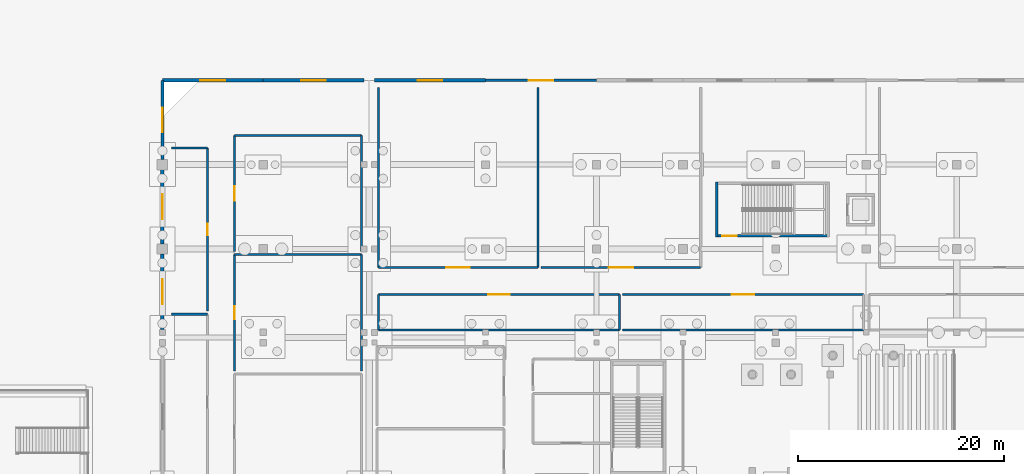
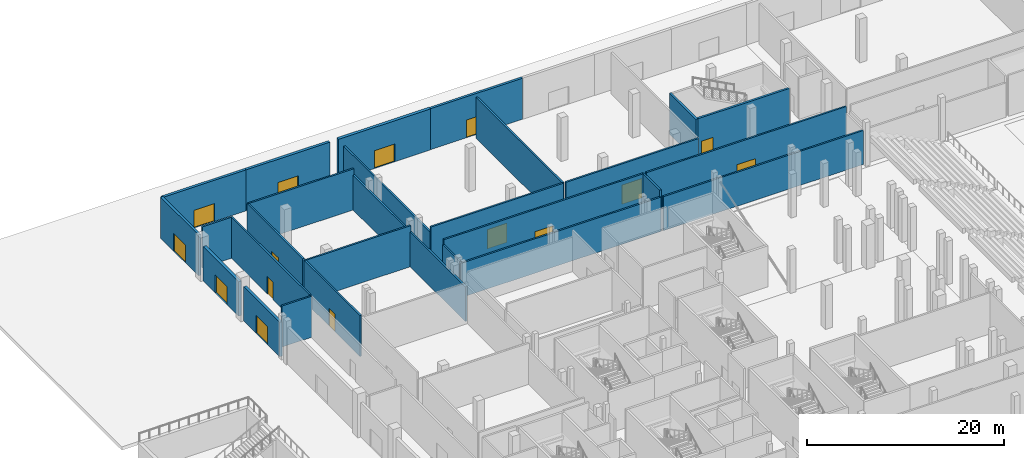
# One storey, part 46 of 89: 28 walls, 15 doors, 15 openings.
"""IFC4 building model written with IfcOpenShell, lengths in metres."""

from ifc_helpers import new_model, si_unit, direction, frame, frame_2d, origin, place, context, subcontext, project, spatial, rectangle, extrude, material, layer, layer_set, type_object, element, fill, save


model = new_model("IFC4")

# Units and contexts
model_context = context("Model", 3, precision=1e-05, world=origin(), true_north=direction((0.0, 1.0)))
body_context = subcontext(model_context, "Body", "Model", "MODEL_VIEW")
ifc_project = project(units=[si_unit("LENGTHUNIT", "METRE"), si_unit("AREAUNIT", "SQUARE_METRE"), si_unit("VOLUMEUNIT", "CUBIC_METRE"), si_unit("PLANEANGLEUNIT", "RADIAN"), si_unit("MASSUNIT", "GRAM", prefix="KILO")], contexts=[model_context])

# Site, building, storey
site_placement = place(None, origin())
site = spatial("IfcSite", under=ifc_project, at=site_placement, CompositionType="ELEMENT")
building_placement = place(site_placement, origin())
building = spatial("IfcBuilding", under=site, at=building_placement, Name="Koshinbarg Plaza Stadium", CompositionType="ELEMENT")
storey_placement = place(building_placement, origin())
storey = spatial("IfcBuildingStorey", under=building, at=storey_placement, Name="L00", CompositionType="ELEMENT", Elevation=0.0)

# Wall
ifc_material_1 = material(Name="Concrete C40/50", Category="concrete")
ifc_layer_1 = layer(ifc_material_1, 0.25)
ifc_layer_set_1 = layer_set([ifc_layer_1], Name="Concrete C40/50")
wall_type_1 = type_object("IfcWallType", Name="WL-CORE-250", PredefinedType="SHEAR", material=ifc_layer_set_1)
wall_1_placement = place(storey_placement, frame((57.875, 142.1201171875, 0.0), z_axis=(0.0, 0.0, 1.0), x_axis=(0.0, -1.0, 0.0)))
element("IfcWall", 1, at=wall_1_placement, inside=storey, type_object=wall_type_1, Name="L00 core stair shear wall C11-near IWL-L00-0258", PredefinedType="SHEAR", context=body_context, shape_type="SweptSolid", body=[
    extrude(rectangle(XDim=5.3701171875, YDim=0.25, at=frame_2d((2.68505859375, 0.0))), origin(), (0.0, 0.0, 1.0), 5.080078125),
])

# Wall, opening, door
wall_2_placement = place(storey_placement, frame((57.875, 136.875, 0.0), z_axis=(0.0, 0.0, 1.0), x_axis=(1.0, 0.0, 0.0)))
wall_2 = element("IfcWall", 2, at=wall_2_placement, inside=storey, type_object=wall_type_1, Name="L00 core stair shear wall C11-right IWL-L00-0261", PredefinedType="SHEAR", context=body_context, shape_type="SweptSolid", body=[
    extrude(rectangle(XDim=10.85009765625, YDim=0.25, at=frame_2d((5.425048828125, 0.0))), origin(), (0.0, 0.0, 1.0), 5.080078125),
])
opening_1_placement = place(wall_2_placement, frame((0.52001953125, 0.0, 0.0)))
opening_1 = element("IfcOpeningElement", 3, at=opening_1_placement, cuts=wall_2, Name="Opening D-0127", PredefinedType="OPENING", context=body_context, shape_type="SweptSolid", body=[
    extrude(rectangle(XDim=1.39990234375, YDim=2.14990234375, at=frame_2d((0.699951171875, 1.074951171875))), frame((0.0, 0.135009765625, 0.0), z_axis=(0.0, -1.0, 0.0), x_axis=(1.0, 0.0, 0.0)), (0.0, 0.0, 1.0), 0.27001953125),
])
ifc_material_2 = material(Name="Painted galvanized steel fire door", Category="steel")
door_type_1 = type_object("IfcDoorType", Name="DR-STAIR-1400", OperationType="NOTDEFINED", PredefinedType="DOOR", material=ifc_material_2)
door_1_placement = place(opening_1_placement, frame((1.39990234375, 0.0, 0.0), z_axis=(0.0, 0.0, 1.0), x_axis=(-1.0, 0.0, 0.0)))
door_1 = element("IfcDoor", 4, at=door_1_placement, inside=storey, type_object=door_type_1, Name="L00 exit stair door C11", OperationType="SINGLE_SWING_RIGHT", OverallHeight=2.14990234375, OverallWidth=1.39990234375, PredefinedType="DOOR", context=body_context, shape_type="SweptSolid", body=[
    extrude(rectangle(XDim=1.39990234375, YDim=2.14990234375, at=frame_2d((0.699951171875, 1.074951171875))), frame((0.0, 0.02490234375, 0.0), z_axis=(0.0, -1.0, 0.0), x_axis=(1.0, 0.0, 0.0)), (0.0, 0.0, 1.0), 0.050048828125),
])
fill(opening_1, door_1)

ifc_material_3 = material(Name="Terracotta-ochre mineral plaster insulated wall", Category="masonry")
ifc_layer_2 = layer(ifc_material_3, 0.280029296875)
ifc_layer_set_2 = layer_set([ifc_layer_2], Name="Terracotta-ochre mineral plaster insulated wall")
wall_type_2 = type_object("IfcWallType", Name="WL-EXT-280", PredefinedType="SOLIDWALL", material=ifc_layer_set_2)
wall_3_placement = place(storey_placement, frame((4.0, 144.294921875, 0.0), z_axis=(0.0, 0.0, 1.0), x_axis=(0.0, 1.0, 0.0)))
wall_3 = element("IfcWall", 5, at=wall_3_placement, inside=storey, type_object=wall_type_2, Name="L00 exterior envelope wall EWL-L00-0016", PredefinedType="SOLIDWALL", context=body_context, shape_type="SweptSolid", body=[
    extrude(rectangle(XDim=7.705078125, YDim=0.280029296875, at=frame_2d((3.8525390625, 0.0))), origin(), (0.0, 0.0, 1.0), 5.080078125),
])
opening_2_placement = place(wall_3_placement, frame((2.652587890625, 0.0, 0.0)))
opening_2 = element("IfcOpeningElement", 6, at=opening_2_placement, cuts=wall_3, Name="Opening D-0017", PredefinedType="OPENING", context=body_context, shape_type="SweptSolid", body=[
    extrude(rectangle(XDim=2.39990234375, YDim=2.199951171875, at=frame_2d((1.199951171875, 1.10009765625))), frame((0.0, 0.14990234375, 0.0), z_axis=(0.0, -1.0, 0.0), x_axis=(1.0, 0.0, 0.0)), (0.0, 0.0, 1.0), 0.300048828125),
])
ifc_material_4 = material(Name="Anodised aluminium thermally broken exit door", Category="aluminium")
door_type_2 = type_object("IfcDoorType", Name="DR-EXIT-2400", OperationType="NOTDEFINED", PredefinedType="DOOR", material=ifc_material_4)
door_2_placement = place(opening_2_placement, origin())
door_2 = element("IfcDoor", 7, at=door_2_placement, inside=storey, type_object=door_type_2, Name="Main exit E16", OperationType="DOUBLE_DOOR_SINGLE_SWING", OverallHeight=2.199951171875, OverallWidth=2.39990234375, PredefinedType="DOOR", context=body_context, shape_type="SweptSolid", body=[
    extrude(rectangle(XDim=2.39990234375, YDim=2.199951171875, at=frame_2d((1.199951171875, 1.10009765625))), frame((0.0, 0.02490234375, 0.0), z_axis=(0.0, -1.0, 0.0), x_axis=(1.0, 0.0, 0.0)), (0.0, 0.0, 1.0), 0.050048828125),
])
fill(opening_2, door_2)

wall_4_placement = place(storey_placement, frame((35.39990234375, 152.0, 0.0), z_axis=(0.0, 0.0, 1.0), x_axis=(1.0, 0.0, 0.0)))
wall_4 = element("IfcWall", 8, at=wall_4_placement, inside=storey, type_object=wall_type_2, Name="L00 exterior envelope wall EWL-L00-0020", PredefinedType="SOLIDWALL", context=body_context, shape_type="SweptSolid", body=[
    extrude(rectangle(XDim=10.800048828125, YDim=0.280029296875, at=frame_2d((5.39990234375, 0.0))), origin(), (0.0, 0.0, 1.0), 5.080078125),
])
opening_3_placement = place(wall_4_placement, frame((4.199951171875, 0.0, 0.0)))
opening_3 = element("IfcOpeningElement", 9, at=opening_3_placement, cuts=wall_4, Name="Opening D-0021", PredefinedType="OPENING", context=body_context, shape_type="SweptSolid", body=[
    extrude(rectangle(XDim=2.39990234375, YDim=2.199951171875, at=frame_2d((1.199951171875, 1.10009765625))), frame((0.0, 0.14990234375, 0.0), z_axis=(0.0, -1.0, 0.0), x_axis=(1.0, 0.0, 0.0)), (0.0, 0.0, 1.0), 0.300048828125),
])
door_3_placement = place(opening_3_placement, origin())
door_3 = element("IfcDoor", 10, at=door_3_placement, inside=storey, type_object=door_type_2, Name="Main exit E20", OperationType="DOUBLE_DOOR_SINGLE_SWING", OverallHeight=2.199951171875, OverallWidth=2.39990234375, PredefinedType="DOOR", context=body_context, shape_type="SweptSolid", body=[
    extrude(rectangle(XDim=2.39990234375, YDim=2.199951171875, at=frame_2d((1.199951171875, 1.10009765625))), frame((0.0, 0.02490234375, 0.0), z_axis=(0.0, -1.0, 0.0), x_axis=(1.0, 0.0, 0.0)), (0.0, 0.0, 1.0), 0.050048828125),
])
fill(opening_3, door_3)

ifc_material_5 = material(Name="Off-white mineral plaster insulated wall", Category="masonry")
ifc_layer_3 = layer(ifc_material_5, 0.300048828125)
ifc_layer_set_3 = layer_set([ifc_layer_3], Name="Off-white mineral plaster insulated wall")
wall_type_3 = type_object("IfcWallType", Name="WL-EXT-300", PredefinedType="SOLIDWALL", material=ifc_layer_set_3)
wall_5_placement = place(storey_placement, frame((4.0, 152.0, 0.0), z_axis=(0.0, 0.0, 1.0), x_axis=(1.0, 0.0, 0.0)))
wall_5 = element("IfcWall", 11, at=wall_5_placement, inside=storey, type_object=wall_type_3, Name="L00 exterior envelope wall EWL-L00-0017", PredefinedType="SOLIDWALL", context=body_context, shape_type="SweptSolid", body=[
    extrude(rectangle(XDim=9.800048828125, YDim=0.300048828125, at=frame_2d((4.89990234375, 0.0))), origin(), (0.0, 0.0, 1.0), 5.080078125),
])
opening_4_placement = place(wall_5_placement, frame((3.699951171875, 0.0, 0.0)))
opening_4 = element("IfcOpeningElement", 12, at=opening_4_placement, cuts=wall_5, Name="Opening D-0018", PredefinedType="OPENING", context=body_context, shape_type="SweptSolid", body=[
    extrude(rectangle(XDim=2.39990234375, YDim=2.199951171875, at=frame_2d((1.199951171875, 1.10009765625))), frame((0.0, 0.159912109375, 0.0), z_axis=(0.0, -1.0, 0.0), x_axis=(1.0, 0.0, 0.0)), (0.0, 0.0, 1.0), 0.320068359375),
])
door_4_placement = place(opening_4_placement, origin())
door_4 = element("IfcDoor", 13, at=door_4_placement, inside=storey, type_object=door_type_2, Name="Main exit E17", OperationType="DOUBLE_DOOR_SINGLE_SWING", OverallHeight=2.199951171875, OverallWidth=2.39990234375, PredefinedType="DOOR", context=body_context, shape_type="SweptSolid", body=[
    extrude(rectangle(XDim=2.39990234375, YDim=2.199951171875, at=frame_2d((1.199951171875, 1.10009765625))), frame((0.0, 0.02490234375, 0.0), z_axis=(0.0, -1.0, 0.0), x_axis=(1.0, 0.0, 0.0)), (0.0, 0.0, 1.0), 0.050048828125),
])
fill(opening_4, door_4)

ifc_material_6 = material(Name="Ultramarine-blue pigmented mineral plaster facade wall", Category="masonry")
ifc_layer_4 = layer(ifc_material_6, 0.320068359375)
ifc_layer_set_4 = layer_set([ifc_layer_4], Name="Ultramarine-blue pigmented mineral plaster facade wall")
wall_type_4 = type_object("IfcWallType", Name="WL-EXT-320", PredefinedType="SOLIDWALL", material=ifc_layer_set_4)
wall_6_placement = place(storey_placement, frame((4.0, 127.794921875, 0.0), z_axis=(0.0, 0.0, 1.0), x_axis=(0.0, 1.0, 0.0)))
wall_6 = element("IfcWall", 14, at=wall_6_placement, inside=storey, type_object=wall_type_4, Name="L00 exterior envelope wall EWL-L00-0014", PredefinedType="SOLIDWALL", context=body_context, shape_type="SweptSolid", body=[
    extrude(rectangle(XDim=7.31005859375, YDim=0.320068359375, at=frame_2d((3.655029296875, 0.0))), origin(), (0.0, 0.0, 1.0), 4.260009765625),
])
opening_5_placement = place(wall_6_placement, frame((2.455078125, 0.0, 0.0)))
opening_5 = element("IfcOpeningElement", 15, at=opening_5_placement, cuts=wall_6, Name="Opening D-0015", PredefinedType="OPENING", context=body_context, shape_type="SweptSolid", body=[
    extrude(rectangle(XDim=2.39990234375, YDim=2.199951171875, at=frame_2d((1.199951171875, 1.10009765625))), frame((0.0, 0.169921875, 0.0), z_axis=(0.0, -1.0, 0.0), x_axis=(1.0, 0.0, 0.0)), (0.0, 0.0, 1.0), 0.340087890625),
])
door_5_placement = place(opening_5_placement, origin())
door_5 = element("IfcDoor", 16, at=door_5_placement, inside=storey, type_object=door_type_2, Name="Main exit E14", OperationType="DOUBLE_DOOR_SINGLE_SWING", OverallHeight=2.199951171875, OverallWidth=2.39990234375, PredefinedType="DOOR", context=body_context, shape_type="SweptSolid", body=[
    extrude(rectangle(XDim=2.39990234375, YDim=2.199951171875, at=frame_2d((1.199951171875, 1.10009765625))), frame((0.0, 0.02490234375, 0.0), z_axis=(0.0, -1.0, 0.0), x_axis=(1.0, 0.0, 0.0)), (0.0, 0.0, 1.0), 0.050048828125),
])
fill(opening_5, door_5)

wall_7_placement = place(storey_placement, frame((13.800048828125, 152.0, 0.0), z_axis=(0.0, 0.0, 1.0), x_axis=(1.0, 0.0, 0.0)))
wall_7 = element("IfcWall", 17, at=wall_7_placement, inside=storey, type_object=wall_type_4, Name="L00 exterior envelope wall EWL-L00-0018", PredefinedType="SOLIDWALL", context=body_context, shape_type="SweptSolid", body=[
    extrude(rectangle(XDim=9.800048828125, YDim=0.320068359375, at=frame_2d((4.89990234375, 0.0))), origin(), (0.0, 0.0, 1.0), 5.080078125),
])
opening_6_placement = place(wall_7_placement, frame((3.699951171875, 0.0, 0.0)))
opening_6 = element("IfcOpeningElement", 18, at=opening_6_placement, cuts=wall_7, Name="Opening D-0019", PredefinedType="OPENING", context=body_context, shape_type="SweptSolid", body=[
    extrude(rectangle(XDim=2.39990234375, YDim=2.199951171875, at=frame_2d((1.199951171875, 1.10009765625))), frame((0.0, 0.169921875, 0.0), z_axis=(0.0, -1.0, 0.0), x_axis=(1.0, 0.0, 0.0)), (0.0, 0.0, 1.0), 0.340087890625),
])
door_6_placement = place(opening_6_placement, origin())
door_6 = element("IfcDoor", 19, at=door_6_placement, inside=storey, type_object=door_type_2, Name="Main exit E18", OperationType="DOUBLE_DOOR_SINGLE_SWING", OverallHeight=2.199951171875, OverallWidth=2.39990234375, PredefinedType="DOOR", context=body_context, shape_type="SweptSolid", body=[
    extrude(rectangle(XDim=2.39990234375, YDim=2.199951171875, at=frame_2d((1.199951171875, 1.10009765625))), frame((0.0, 0.02490234375, 0.0), z_axis=(0.0, -1.0, 0.0), x_axis=(1.0, 0.0, 0.0)), (0.0, 0.0, 1.0), 0.050048828125),
])
fill(opening_6, door_6)

ifc_material_7 = material(Name="Acoustic insulated masonry stadium wall", Category="masonry")
ifc_layer_5 = layer(ifc_material_7, 0.35009765625)
ifc_layer_set_5 = layer_set([ifc_layer_5], Name="Acoustic insulated masonry stadium wall")
wall_type_5 = type_object("IfcWallType", Name="WL-EXT-350", PredefinedType="SOLIDWALL", material=ifc_layer_set_5)
wall_8_placement = place(storey_placement, frame((4.0, 136.094970703125, 0.0), z_axis=(0.0, 0.0, 1.0), x_axis=(0.0, 1.0, 0.0)))
wall_8 = element("IfcWall", 20, at=wall_8_placement, inside=storey, type_object=wall_type_5, Name="L00 exterior envelope wall EWL-L00-0015", PredefinedType="SOLIDWALL", context=body_context, shape_type="SweptSolid", body=[
    extrude(rectangle(XDim=7.2099609375, YDim=0.35009765625, at=frame_2d((3.60498046875, 0.0))), origin(), (0.0, 0.0, 1.0), 4.260009765625),
])
opening_7_placement = place(wall_8_placement, frame((2.405029296875, 0.0, 0.0)))
opening_7 = element("IfcOpeningElement", 21, at=opening_7_placement, cuts=wall_8, Name="Opening D-0016", PredefinedType="OPENING", context=body_context, shape_type="SweptSolid", body=[
    extrude(rectangle(XDim=2.39990234375, YDim=2.199951171875, at=frame_2d((1.199951171875, 1.10009765625))), frame((0.0, 0.18505859375, 0.0), z_axis=(0.0, -1.0, 0.0), x_axis=(1.0, 0.0, 0.0)), (0.0, 0.0, 1.0), 0.3701171875),
])
door_7_placement = place(opening_7_placement, origin())
door_7 = element("IfcDoor", 22, at=door_7_placement, inside=storey, type_object=door_type_2, Name="Main exit E15", OperationType="DOUBLE_DOOR_SINGLE_SWING", OverallHeight=2.199951171875, OverallWidth=2.39990234375, PredefinedType="DOOR", context=body_context, shape_type="SweptSolid", body=[
    extrude(rectangle(XDim=2.39990234375, YDim=2.199951171875, at=frame_2d((1.199951171875, 1.10009765625))), frame((0.0, 0.02490234375, 0.0), z_axis=(0.0, -1.0, 0.0), x_axis=(1.0, 0.0, 0.0)), (0.0, 0.0, 1.0), 0.050048828125),
])
fill(opening_7, door_7)

wall_9_placement = place(storey_placement, frame((24.60009765625, 152.0, 0.0), z_axis=(0.0, 0.0, 1.0), x_axis=(1.0, 0.0, 0.0)))
wall_9 = element("IfcWall", 23, at=wall_9_placement, inside=storey, type_object=wall_type_5, Name="L00 exterior envelope wall EWL-L00-0019", PredefinedType="SOLIDWALL", context=body_context, shape_type="SweptSolid", body=[
    extrude(rectangle(XDim=10.7998046875, YDim=0.35009765625, at=frame_2d((5.39990234375, 0.0))), origin(), (0.0, 0.0, 1.0), 5.080078125),
])
opening_8_placement = place(wall_9_placement, frame((4.199951171875, 0.0, 0.0)))
opening_8 = element("IfcOpeningElement", 24, at=opening_8_placement, cuts=wall_9, Name="Opening D-0020", PredefinedType="OPENING", context=body_context, shape_type="SweptSolid", body=[
    extrude(rectangle(XDim=2.39990234375, YDim=2.199951171875, at=frame_2d((1.199951171875, 1.10009765625))), frame((0.0, 0.18505859375, 0.0), z_axis=(0.0, -1.0, 0.0), x_axis=(1.0, 0.0, 0.0)), (0.0, 0.0, 1.0), 0.3701171875),
])
door_8_placement = place(opening_8_placement, origin())
door_8 = element("IfcDoor", 25, at=door_8_placement, inside=storey, type_object=door_type_2, Name="Main exit E19", OperationType="DOUBLE_DOOR_SINGLE_SWING", OverallHeight=2.199951171875, OverallWidth=2.39990234375, PredefinedType="DOOR", context=body_context, shape_type="SweptSolid", body=[
    extrude(rectangle(XDim=2.39990234375, YDim=2.199951171875, at=frame_2d((1.199951171875, 1.10009765625))), frame((0.0, 0.02490234375, 0.0), z_axis=(0.0, -1.0, 0.0), x_axis=(1.0, 0.0, 0.0)), (0.0, 0.0, 1.0), 0.050048828125),
])
fill(opening_8, door_8)

# Walls
ifc_material_8 = material(Name="Autoclaved aerated blockwork fire partition", Category="masonry")
ifc_layer_6 = layer(ifc_material_8, 0.199951171875)
ifc_layer_set_6 = layer_set([ifc_layer_6], Name="Autoclaved aerated blockwork fire partition")
wall_type_6 = type_object("IfcWallType", Name="WL-PART-200", PredefinedType="PARTITIONING", material=ifc_layer_set_6)
wall_10_placement = place(storey_placement, frame((24.9951171875, 127.7451171875, 0.0), z_axis=(0.0, 0.0, 1.0), x_axis=(1.0, 0.0, 0.0)))
element("IfcWall", 26, at=wall_10_placement, inside=storey, type_object=wall_type_6, Name="L00 interior partition L00-112-south IWL-L00-1172", PredefinedType="PARTITIONING", context=body_context, shape_type="SweptSolid", body=[
    extrude(rectangle(XDim=23.41748046875, YDim=0.199951171875, at=frame_2d((11.708740234375, 0.0))), origin(), (0.0, 0.0, 1.0), 4.260009765625),
])
wall_11_placement = place(storey_placement, frame((48.41259765625, 127.7451171875, 0.0), z_axis=(0.0, 0.0, 1.0), x_axis=(0.0, 1.0, 0.0)))
element("IfcWall", 27, at=wall_11_placement, inside=storey, type_object=wall_type_6, Name="L00 interior partition L00-112-east IWL-L00-1173", PredefinedType="PARTITIONING", context=body_context, shape_type="SweptSolid", body=[
    extrude(rectangle(XDim=3.454833984375, YDim=0.199951171875, at=frame_2d((1.7275390625, 0.0))), origin(), (0.0, 0.0, 1.0), 5.080078125),
])

# Wall, opening, door
wall_12_placement = place(storey_placement, frame((48.41259765625, 131.199951171875, 0.0), z_axis=(0.0, 0.0, 1.0), x_axis=(-1.0, 0.0, 0.0)))
wall_12 = element("IfcWall", 28, at=wall_12_placement, inside=storey, type_object=wall_type_6, Name="L00 interior partition L00-112-north IWL-L00-1174", PredefinedType="PARTITIONING", context=body_context, shape_type="SweptSolid", body=[
    extrude(rectangle(XDim=23.41748046875, YDim=0.199951171875, at=frame_2d((11.708740234375, 0.0))), origin(), (0.0, 0.0, 1.0), 5.080078125),
])
opening_9_placement = place(wall_12_placement, frame((10.668701171875, 0.0, 0.0)))
opening_9 = element("IfcOpeningElement", 29, at=opening_9_placement, cuts=wall_12, Name="Opening D-0381", PredefinedType="OPENING", context=body_context, shape_type="SweptSolid", body=[
    extrude(rectangle(XDim=2.080078125, YDim=2.35009765625, at=frame_2d((1.0400390625, 1.175048828125))), frame((0.0, 0.10986328125, 0.0), z_axis=(0.0, -1.0, 0.0), x_axis=(1.0, 0.0, 0.0)), (0.0, 0.0, 1.0), 0.219970703125),
])
ifc_material_9 = material(Name="Laminated safety glass aluminium vestibule door", Category="aluminium")
door_type_3 = type_object("IfcDoorType", Name="DR-INT-2080x2350", OperationType="NOTDEFINED", PredefinedType="DOOR", material=ifc_material_9)
door_9_placement = place(opening_9_placement, origin())
door_9 = element("IfcDoor", 30, at=door_9_placement, inside=storey, type_object=door_type_3, Name="L00 Tashkent Football Heritage Salon door D-0381", OperationType="DOUBLE_DOOR_SINGLE_SWING", OverallHeight=2.35009765625, OverallWidth=2.080078125, PredefinedType="DOOR", context=body_context, shape_type="SweptSolid", body=[
    extrude(rectangle(XDim=2.080078125, YDim=2.35009765625, at=frame_2d((1.0400390625, 1.175048828125))), frame((0.0, 0.02490234375, 0.0), z_axis=(0.0, -1.0, 0.0), x_axis=(1.0, 0.0, 0.0)), (0.0, 0.0, 1.0), 0.050048828125),
])
fill(opening_9, door_9)

# Walls
wall_13_placement = place(storey_placement, frame((24.9951171875, 131.199951171875, 0.0), z_axis=(0.0, 0.0, 1.0), x_axis=(0.0, -1.0, 0.0)))
element("IfcWall", 31, at=wall_13_placement, inside=storey, type_object=wall_type_6, Name="L00 interior partition L00-112-west IWL-L00-1175", PredefinedType="PARTITIONING", context=body_context, shape_type="SweptSolid", body=[
    extrude(rectangle(XDim=3.454833984375, YDim=0.199951171875, at=frame_2d((1.7275390625, 0.0))), origin(), (0.0, 0.0, 1.0), 4.4599609375),
])
wall_14_placement = place(storey_placement, frame((48.71240234375, 127.7451171875, 0.0), z_axis=(0.0, 0.0, 1.0), x_axis=(1.0, 0.0, 0.0)))
element("IfcWall", 32, at=wall_14_placement, inside=storey, type_object=wall_type_6, Name="L00 interior partition L00-113-south IWL-L00-1176", PredefinedType="PARTITIONING", context=body_context, shape_type="SweptSolid", body=[
    extrude(rectangle(XDim=23.41748046875, YDim=0.199951171875, at=frame_2d((11.708740234375, 0.0))), origin(), (0.0, 0.0, 1.0), 4.2099609375),
])

# Wall, opening, door
wall_15_placement = place(storey_placement, frame((72.1298828125, 131.199951171875, 0.0), z_axis=(0.0, 0.0, 1.0), x_axis=(-1.0, 0.0, 0.0)))
wall_15 = element("IfcWall", 33, at=wall_15_placement, inside=storey, type_object=wall_type_6, Name="L00 interior partition L00-113-north IWL-L00-1178", PredefinedType="PARTITIONING", context=body_context, shape_type="SweptSolid", body=[
    extrude(rectangle(XDim=23.41748046875, YDim=0.199951171875, at=frame_2d((11.708740234375, 0.0))), origin(), (0.0, 0.0, 1.0), 5.080078125),
])
opening_10_placement = place(wall_15_placement, frame((10.628662109375, 0.0, 0.0)))
opening_10 = element("IfcOpeningElement", 34, at=opening_10_placement, cuts=wall_15, Name="Opening D-0382", PredefinedType="OPENING", context=body_context, shape_type="SweptSolid", body=[
    extrude(rectangle(XDim=2.159912109375, YDim=2.35009765625, at=frame_2d((1.080078125, 1.175048828125))), frame((0.0, 0.10986328125, 0.0), z_axis=(0.0, -1.0, 0.0), x_axis=(1.0, 0.0, 0.0)), (0.0, 0.0, 1.0), 0.219970703125),
])
ifc_material_10 = material(Name="Galvanized painted steel double leaf door", Category="steel")
door_type_4 = type_object("IfcDoorType", Name="DR-INT-2160x2350", OperationType="NOTDEFINED", PredefinedType="DOOR", material=ifc_material_10)
door_10_placement = place(opening_10_placement, origin())
door_10 = element("IfcDoor", 35, at=door_10_placement, inside=storey, type_object=door_type_4, Name="L00 Supporters' Bookshop door D-0382", OperationType="DOUBLE_DOOR_SINGLE_SWING", OverallHeight=2.35009765625, OverallWidth=2.159912109375, PredefinedType="DOOR", context=body_context, shape_type="SweptSolid", body=[
    extrude(rectangle(XDim=2.159912109375, YDim=2.35009765625, at=frame_2d((1.080078125, 1.175048828125))), frame((0.0, 0.02490234375, 0.0), z_axis=(0.0, -1.0, 0.0), x_axis=(1.0, 0.0, 0.0)), (0.0, 0.0, 1.0), 0.050048828125),
])
fill(opening_10, door_10)

wall_16_placement = place(storey_placement, frame((24.9951171875, 133.800048828125, 0.0), z_axis=(0.0, 0.0, 1.0), x_axis=(1.0, 0.0, 0.0)))
wall_16 = element("IfcWall", 36, at=wall_16_placement, inside=storey, type_object=wall_type_6, Name="L00 interior partition L00-114-south IWL-L00-1179", PredefinedType="PARTITIONING", context=body_context, shape_type="SweptSolid", body=[
    extrude(rectangle(XDim=15.511474609375, YDim=0.199951171875, at=frame_2d((7.755859375, 0.0))), origin(), (0.0, 0.0, 1.0), 5.080078125),
])
opening_11_placement = place(wall_16_placement, frame((6.615966796875, 0.0, 0.0)))
opening_11 = element("IfcOpeningElement", 37, at=opening_11_placement, cuts=wall_16, Name="Opening D-0383", PredefinedType="OPENING", context=body_context, shape_type="SweptSolid", body=[
    extrude(rectangle(XDim=2.280029296875, YDim=2.39990234375, at=frame_2d((1.14013671875, 1.199951171875))), frame((0.0, 0.10986328125, 0.0), z_axis=(0.0, -1.0, 0.0), x_axis=(1.0, 0.0, 0.0)), (0.0, 0.0, 1.0), 0.219970703125),
])
ifc_material_11 = material(Name="Anodised aluminium and laminated glass portal door", Category="aluminium")
door_type_5 = type_object("IfcDoorType", Name="DR-INT-2280x2400", OperationType="NOTDEFINED", PredefinedType="DOOR", material=ifc_material_11)
door_11_placement = place(opening_11_placement, origin())
door_11 = element("IfcDoor", 38, at=door_11_placement, inside=storey, type_object=door_type_5, Name="L00 Supporters' Bookshop door D-0383", OperationType="DOUBLE_DOOR_SINGLE_SWING", OverallHeight=2.39990234375, OverallWidth=2.280029296875, PredefinedType="DOOR", context=body_context, shape_type="SweptSolid", body=[
    extrude(rectangle(XDim=2.280029296875, YDim=2.39990234375, at=frame_2d((1.14013671875, 1.199951171875))), frame((0.0, 0.02490234375, 0.0), z_axis=(0.0, -1.0, 0.0), x_axis=(1.0, 0.0, 0.0)), (0.0, 0.0, 1.0), 0.050048828125),
])
fill(opening_11, door_11)

# Walls
wall_17_placement = place(storey_placement, frame((40.506591796875, 133.800048828125, 0.0), z_axis=(0.0, 0.0, 1.0), x_axis=(0.0, 1.0, 0.0)))
element("IfcWall", 39, at=wall_17_placement, inside=storey, type_object=wall_type_6, Name="L00 interior partition L00-114-east IWL-L00-1180", PredefinedType="PARTITIONING", context=body_context, shape_type="SweptSolid", body=[
    extrude(rectangle(XDim=17.5, YDim=0.199951171875, at=frame_2d((8.75, 0.0))), origin(), (0.0, 0.0, 1.0), 5.080078125),
])
wall_18_placement = place(storey_placement, frame((24.9951171875, 151.300048828125, 0.0), z_axis=(0.0, 0.0, 1.0), x_axis=(0.0, -1.0, 0.0)))
element("IfcWall", 40, at=wall_18_placement, inside=storey, type_object=wall_type_6, Name="L00 interior partition L00-114-west IWL-L00-1181", PredefinedType="PARTITIONING", context=body_context, shape_type="SweptSolid", body=[
    extrude(rectangle(XDim=17.5, YDim=0.199951171875, at=frame_2d((8.75, 0.0))), origin(), (0.0, 0.0, 1.0), 4.4599609375),
])

# Wall, opening, door
wall_19_placement = place(storey_placement, frame((40.806640625, 133.800048828125, 0.0), z_axis=(0.0, 0.0, 1.0), x_axis=(1.0, 0.0, 0.0)))
wall_19 = element("IfcWall", 41, at=wall_19_placement, inside=storey, type_object=wall_type_6, Name="L00 interior partition L00-115-south IWL-L00-1182", PredefinedType="PARTITIONING", context=body_context, shape_type="SweptSolid", body=[
    extrude(rectangle(XDim=15.51171875, YDim=0.199951171875, at=frame_2d((7.755859375, 0.0))), origin(), (0.0, 0.0, 1.0), 5.080078125),
])
opening_12_placement = place(wall_19_placement, frame((6.57568359375, 0.0, 0.0)))
opening_12 = element("IfcOpeningElement", 42, at=opening_12_placement, cuts=wall_19, Name="Opening D-0384", PredefinedType="OPENING", context=body_context, shape_type="SweptSolid", body=[
    extrude(rectangle(XDim=2.360107421875, YDim=2.39990234375, at=frame_2d((1.18017578125, 1.199951171875))), frame((0.0, 0.10986328125, 0.0), z_axis=(0.0, -1.0, 0.0), x_axis=(1.0, 0.0, 0.0)), (0.0, 0.0, 1.0), 0.219970703125),
])
ifc_material_12 = material(Name="Powder-coated steel and tempered glass double door", Category="steel")
door_type_6 = type_object("IfcDoorType", Name="DR-INT-2360x2400", OperationType="NOTDEFINED", PredefinedType="DOOR", material=ifc_material_12)
door_12_placement = place(opening_12_placement, origin())
door_12 = element("IfcDoor", 43, at=door_12_placement, inside=storey, type_object=door_type_6, Name="L00 Sports Museum Hall door D-0384", OperationType="DOUBLE_DOOR_SINGLE_SWING", OverallHeight=2.39990234375, OverallWidth=2.360107421875, PredefinedType="DOOR", context=body_context, shape_type="SweptSolid", body=[
    extrude(rectangle(XDim=2.360107421875, YDim=2.39990234375, at=frame_2d((1.18017578125, 1.199951171875))), frame((0.0, 0.02490234375, 0.0), z_axis=(0.0, -1.0, 0.0), x_axis=(1.0, 0.0, 0.0)), (0.0, 0.0, 1.0), 0.050048828125),
])
fill(opening_12, door_12)

# Wall
wall_20_placement = place(storey_placement, frame((8.39990234375, 129.260009765625, 0.0), z_axis=(0.0, 0.0, 1.0), x_axis=(-1.0, 0.0, 0.0)))
element("IfcWall", 44, at=wall_20_placement, inside=storey, type_object=wall_type_6, Name="L00 interior partition L00-153-north IWL-L00-1289", PredefinedType="PARTITIONING", context=body_context, shape_type="SweptSolid", body=[
    extrude(rectangle(XDim=3.5, YDim=0.199951171875, at=frame_2d((1.75, 0.0))), origin(), (0.0, 0.0, 1.0), 5.080078125),
])

# Wall, opening, door
wall_21_placement = place(storey_placement, frame((8.39990234375, 129.56005859375, 0.0), z_axis=(0.0, 0.0, 1.0), x_axis=(0.0, 1.0, 0.0)))
wall_21 = element("IfcWall", 45, at=wall_21_placement, inside=storey, type_object=wall_type_6, Name="L00 interior partition L00-154-east IWL-L00-1290", PredefinedType="PARTITIONING", context=body_context, shape_type="SweptSolid", body=[
    extrude(rectangle(XDim=15.85986328125, YDim=0.199951171875, at=frame_2d((7.929931640625, 0.0))), origin(), (0.0, 0.0, 1.0), 5.080078125),
])
opening_13_placement = place(wall_21_placement, frame((7.3701171875, 0.0, 0.0)))
opening_13 = element("IfcOpeningElement", 46, at=opening_13_placement, cuts=wall_21, Name="Opening D-0423", PredefinedType="OPENING", context=body_context, shape_type="SweptSolid", body=[
    extrude(rectangle(XDim=1.1201171875, YDim=2.14990234375, at=frame_2d((0.56005859375, 1.074951171875))), frame((0.0, 0.10986328125, 0.0), z_axis=(0.0, -1.0, 0.0), x_axis=(1.0, 0.0, 0.0)), (0.0, 0.0, 1.0), 0.219970703125),
])
ifc_material_13 = material(Name="Acoustic timber broadcast studio door", Category="wood")
door_type_7 = type_object("IfcDoorType", Name="DR-INT-1120x2150", OperationType="NOTDEFINED", PredefinedType="DOOR", material=ifc_material_13)
door_13_placement = place(opening_13_placement, origin())
door_13 = element("IfcDoor", 47, at=door_13_placement, inside=storey, type_object=door_type_7, Name="L00 Visitor Welcome Concourse door D-0423", OperationType="SINGLE_SWING_LEFT", OverallHeight=2.14990234375, OverallWidth=1.1201171875, PredefinedType="DOOR", context=body_context, shape_type="SweptSolid", body=[
    extrude(rectangle(XDim=1.1201171875, YDim=2.14990234375, at=frame_2d((0.56005859375, 1.074951171875))), frame((0.0, 0.02490234375, 0.0), z_axis=(0.0, -1.0, 0.0), x_axis=(1.0, 0.0, 0.0)), (0.0, 0.0, 1.0), 0.050048828125),
])
fill(opening_13, door_13)

# Walls
wall_22_placement = place(storey_placement, frame((8.39990234375, 145.419921875, 0.0), z_axis=(0.0, 0.0, 1.0), x_axis=(-1.0, 0.0, 0.0)))
element("IfcWall", 48, at=wall_22_placement, inside=storey, type_object=wall_type_6, Name="L00 interior partition L00-154-north IWL-L00-1291", PredefinedType="PARTITIONING", context=body_context, shape_type="SweptSolid", body=[
    extrude(rectangle(XDim=3.5, YDim=0.199951171875, at=frame_2d((1.75, 0.0))), origin(), (0.0, 0.0, 1.0), 5.080078125),
])
wall_23_placement = place(storey_placement, frame((23.35498046875, 123.76318359375, 0.0), z_axis=(0.0, 0.0, 1.0), x_axis=(0.0, 1.0, 0.0)))
element("IfcWall", 49, at=wall_23_placement, inside=storey, type_object=wall_type_6, Name="L00 interior partition L00-156-east IWL-L00-1296", PredefinedType="PARTITIONING", context=body_context, shape_type="SweptSolid", body=[
    extrude(rectangle(XDim=11.29345703125, YDim=0.199951171875, at=frame_2d((5.646728515625, 0.0))), origin(), (0.0, 0.0, 1.0), 4.31005859375),
])
wall_24_placement = place(storey_placement, frame((23.35498046875, 135.056640625, 0.0), z_axis=(0.0, 0.0, 1.0), x_axis=(-1.0, 0.0, 0.0)))
element("IfcWall", 50, at=wall_24_placement, inside=storey, type_object=wall_type_6, Name="L00 interior partition L00-156-north IWL-L00-1297", PredefinedType="PARTITIONING", context=body_context, shape_type="SweptSolid", body=[
    extrude(rectangle(XDim=12.35498046875, YDim=0.199951171875, at=frame_2d((6.177490234375, 0.0))), origin(), (0.0, 0.0, 1.0), 5.080078125),
])

# Wall, opening, door
wall_25_placement = place(storey_placement, frame((11.0, 135.056640625, 0.0), z_axis=(0.0, 0.0, 1.0), x_axis=(0.0, -1.0, 0.0)))
wall_25 = element("IfcWall", 51, at=wall_25_placement, inside=storey, type_object=wall_type_6, Name="L00 interior partition L00-156-west IWL-L00-1298", PredefinedType="PARTITIONING", context=body_context, shape_type="SweptSolid", body=[
    extrude(rectangle(XDim=11.29345703125, YDim=0.199951171875, at=frame_2d((5.646728515625, 0.0))), origin(), (0.0, 0.0, 1.0), 5.080078125),
])
opening_14_placement = place(wall_25_placement, frame((4.99658203125, 0.0, 0.0)))
opening_14 = element("IfcOpeningElement", 52, at=opening_14_placement, cuts=wall_25, Name="Opening D-0425", PredefinedType="OPENING", context=body_context, shape_type="SweptSolid", body=[
    extrude(rectangle(XDim=1.300048828125, YDim=2.199951171875, at=frame_2d((0.64990234375, 1.10009765625))), frame((0.0, 0.10986328125, 0.0), z_axis=(0.0, -1.0, 0.0), x_axis=(1.0, 0.0, 0.0)), (0.0, 0.0, 1.0), 0.219970703125),
])
ifc_material_14 = material(Name="Thermally broken anodised aluminium glazed door", Category="aluminium")
door_type_8 = type_object("IfcDoorType", Name="DR-INT-1300x2200", OperationType="NOTDEFINED", PredefinedType="DOOR", material=ifc_material_14)
door_14_placement = place(opening_14_placement, origin())
door_14 = element("IfcDoor", 53, at=door_14_placement, inside=storey, type_object=door_type_8, Name="L00 Metro Forecourt Ticketing Foyer door D-0425", OperationType="SINGLE_SWING_LEFT", OverallHeight=2.199951171875, OverallWidth=1.300048828125, PredefinedType="DOOR", context=body_context, shape_type="SweptSolid", body=[
    extrude(rectangle(XDim=1.300048828125, YDim=2.199951171875, at=frame_2d((0.64990234375, 1.10009765625))), frame((0.0, 0.02490234375, 0.0), z_axis=(0.0, -1.0, 0.0), x_axis=(1.0, 0.0, 0.0)), (0.0, 0.0, 1.0), 0.050048828125),
])
fill(opening_14, door_14)

# Walls
wall_26_placement = place(storey_placement, frame((23.35498046875, 135.356689453125, 0.0), z_axis=(0.0, 0.0, 1.0), x_axis=(0.0, 1.0, 0.0)))
element("IfcWall", 54, at=wall_26_placement, inside=storey, type_object=wall_type_6, Name="L00 interior partition L00-157-east IWL-L00-1299", PredefinedType="PARTITIONING", context=body_context, shape_type="SweptSolid", body=[
    extrude(rectangle(XDim=11.293212890625, YDim=0.199951171875, at=frame_2d((5.646484375, 0.0))), origin(), (0.0, 0.0, 1.0), 4.31005859375),
])
wall_27_placement = place(storey_placement, frame((23.35498046875, 146.64990234375, 0.0), z_axis=(0.0, 0.0, 1.0), x_axis=(-1.0, 0.0, 0.0)))
element("IfcWall", 55, at=wall_27_placement, inside=storey, type_object=wall_type_6, Name="L00 interior partition L00-157-north IWL-L00-1300", PredefinedType="PARTITIONING", context=body_context, shape_type="SweptSolid", body=[
    extrude(rectangle(XDim=12.35498046875, YDim=0.199951171875, at=frame_2d((6.177490234375, 0.0))), origin(), (0.0, 0.0, 1.0), 5.080078125),
])

# Wall, opening, door
wall_28_placement = place(storey_placement, frame((11.0, 146.64990234375, 0.0), z_axis=(0.0, 0.0, 1.0), x_axis=(0.0, -1.0, 0.0)))
wall_28 = element("IfcWall", 56, at=wall_28_placement, inside=storey, type_object=wall_type_6, Name="L00 interior partition L00-157-west IWL-L00-1301", PredefinedType="PARTITIONING", context=body_context, shape_type="SweptSolid", body=[
    extrude(rectangle(XDim=11.293212890625, YDim=0.199951171875, at=frame_2d((5.646484375, 0.0))), origin(), (0.0, 0.0, 1.0), 5.080078125),
])
opening_15_placement = place(wall_28_placement, frame((4.94677734375, 0.0, 0.0)))
opening_15 = element("IfcOpeningElement", 57, at=opening_15_placement, cuts=wall_28, Name="Opening D-0426", PredefinedType="OPENING", context=body_context, shape_type="SweptSolid", body=[
    extrude(rectangle(XDim=1.39990234375, YDim=2.199951171875, at=frame_2d((0.699951171875, 1.10009765625))), frame((0.0, 0.10986328125, 0.0), z_axis=(0.0, -1.0, 0.0), x_axis=(1.0, 0.0, 0.0)), (0.0, 0.0, 1.0), 0.219970703125),
])
ifc_material_15 = material(Name="Stainless-clad solid-core timber double fire door", Category="wood")
door_type_9 = type_object("IfcDoorType", Name="DR-INT-1400x2200", OperationType="NOTDEFINED", PredefinedType="DOOR", material=ifc_material_15)
door_15_placement = place(opening_15_placement, origin())
door_15 = element("IfcDoor", 58, at=door_15_placement, inside=storey, type_object=door_type_9, Name="L00 Flagship Supporters' Retail Shop door D-0426", OperationType="DOUBLE_DOOR_SINGLE_SWING", OverallHeight=2.199951171875, OverallWidth=1.39990234375, PredefinedType="DOOR", context=body_context, shape_type="SweptSolid", body=[
    extrude(rectangle(XDim=1.39990234375, YDim=2.199951171875, at=frame_2d((0.699951171875, 1.10009765625))), frame((0.0, 0.02490234375, 0.0), z_axis=(0.0, -1.0, 0.0), x_axis=(1.0, 0.0, 0.0)), (0.0, 0.0, 1.0), 0.050048828125),
])
fill(opening_15, door_15)

save(model, "model.ifc")
